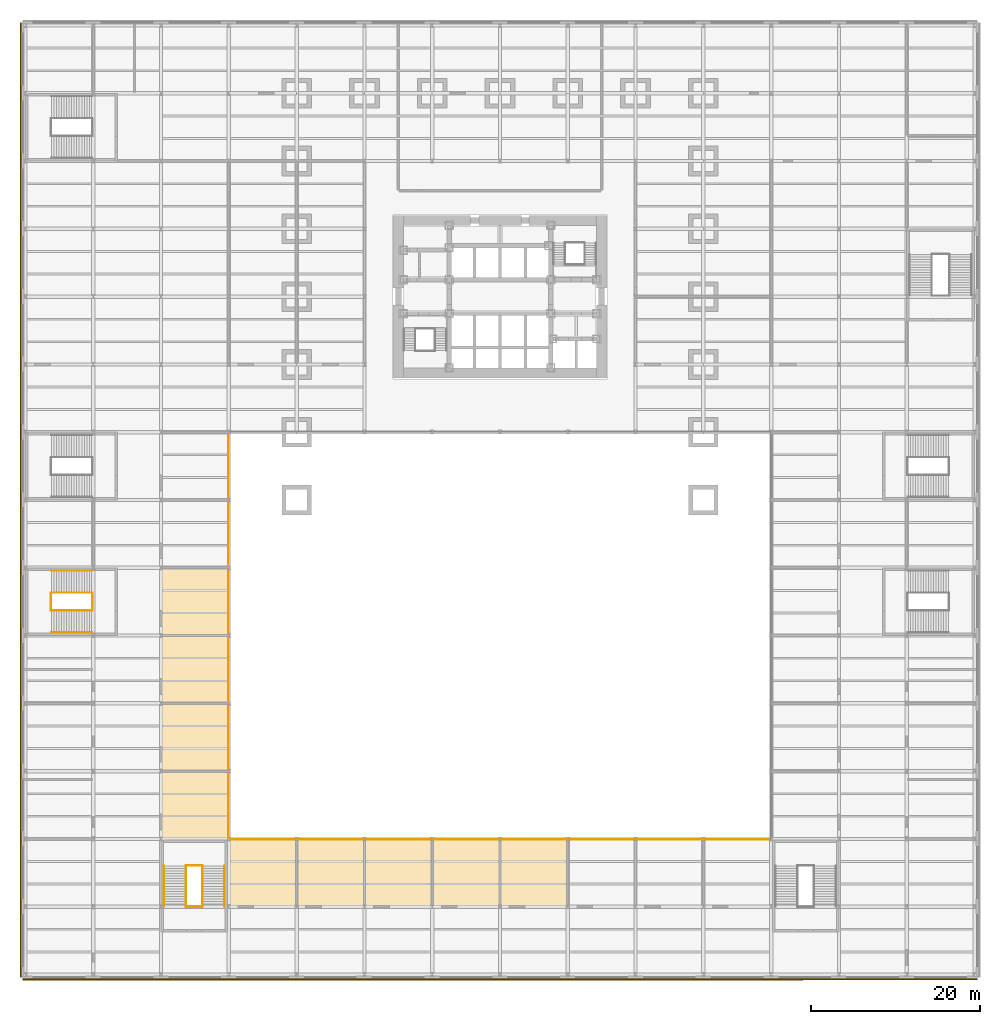
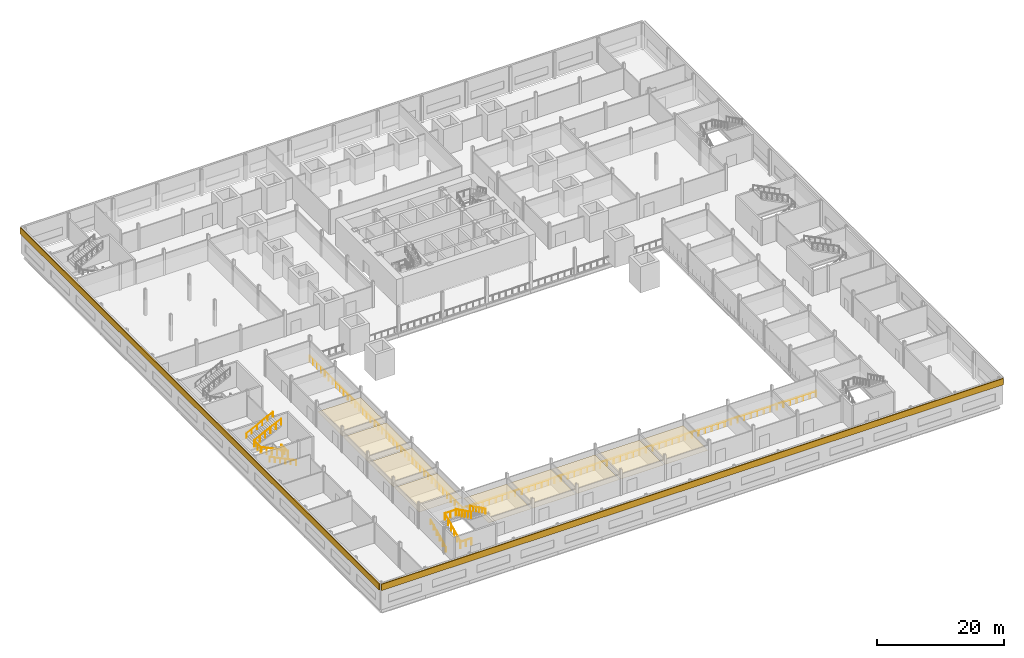
# One storey, part 18 of 22: 14 railings, 11 coverings.
"""IFC4 building model written with IfcOpenShell, lengths in metres."""

from ifc_helpers import new_model, si_unit, direction, frame, origin, origin_2d, place, context, subcontext, project, spatial, polyline, rectangle, circle, outline, extrude, material, layer, layer_set, type_object, element, save


model = new_model("IFC4")

# Units and contexts
model_context = context("Model", 3, precision=1e-05, world=origin(), true_north=direction((0.0, 1.0)))
body_context = subcontext(model_context, "Body", "Model", "MODEL_VIEW")
ifc_project = project(units=[si_unit("LENGTHUNIT", "METRE"), si_unit("AREAUNIT", "SQUARE_METRE"), si_unit("VOLUMEUNIT", "CUBIC_METRE"), si_unit("PLANEANGLEUNIT", "RADIAN"), si_unit("MASSUNIT", "GRAM", prefix="KILO")], contexts=[model_context])

# Site, building, storey
site_placement = place(None, origin())
site = spatial("IfcSite", under=ifc_project, at=site_placement, CompositionType="ELEMENT")
building_placement = place(site_placement, origin())
building = spatial("IfcBuilding", under=site, at=building_placement, Name="Daluyong Arena Tower", CompositionType="ELEMENT")
storey_placement = place(building_placement, frame((0.0, 0.0, 9.89990234375)))
storey = spatial("IfcBuildingStorey", under=building, at=storey_placement, Name="L02", CompositionType="ELEMENT", Elevation=9.89990234375)

# Railings
ifc_material_1 = material(Name="Steel guard with glass infill", Category="steel")
railing_type_1 = type_object("IfcRailingType", Name="Floor edge guard 1100", PredefinedType="GUARDRAIL", material=ifc_material_1)
railing_1_placement = place(storey_placement, frame((23.949951171875, 64.0, 0.0)))
element("IfcRailing", 1, at=railing_1_placement, inside=storey, type_object=railing_type_1, Name="floor edge guard L02", PredefinedType="GUARDRAIL", context=body_context, shape_type="SweptSolid", body=[
    extrude(circle(Radius=0.02392578125, at=origin_2d()), frame((0.0, 0.0, 1.076171875), z_axis=(0.0, -1.0, 0.0), x_axis=(1.0, 0.0, 0.0)), (0.0, 0.0, 1.0), 48.0),
    extrude(circle(Radius=0.02099609375, at=origin_2d()), origin(), (0.0, 0.0, 1.0), 1.052001953125),
    extrude(circle(Radius=0.02099609375, at=origin_2d()), frame((0.0, -1.199951171875, 0.0)), (0.0, 0.0, 1.0), 1.052001953125),
    extrude(circle(Radius=0.02099609375, at=origin_2d()), frame((0.0, -2.39990234375, 0.0)), (0.0, 0.0, 1.0), 1.052001953125),
    extrude(circle(Radius=0.02099609375, at=origin_2d()), frame((0.0, -3.60009765625, 0.0)), (0.0, 0.0, 1.0), 1.052001953125),
    extrude(circle(Radius=0.02099609375, at=origin_2d()), frame((0.0, -4.800048828125, 0.0)), (0.0, 0.0, 1.0), 1.052001953125),
    extrude(circle(Radius=0.02099609375, at=origin_2d()), frame((0.0, -6.0, 0.0)), (0.0, 0.0, 1.0), 1.052001953125),
    extrude(circle(Radius=0.02099609375, at=origin_2d()), frame((0.0, -7.199951171875, 0.0)), (0.0, 0.0, 1.0), 1.052001953125),
    extrude(circle(Radius=0.02099609375, at=origin_2d()), frame((0.0, -8.39990234375, 0.0)), (0.0, 0.0, 1.0), 1.052001953125),
    extrude(circle(Radius=0.02099609375, at=origin_2d()), frame((0.0, -9.60009765625, 0.0)), (0.0, 0.0, 1.0), 1.052001953125),
    extrude(circle(Radius=0.02099609375, at=origin_2d()), frame((0.0, -10.800048828125, 0.0)), (0.0, 0.0, 1.0), 1.052001953125),
    extrude(circle(Radius=0.02099609375, at=origin_2d()), frame((0.0, -12.0, 0.0)), (0.0, 0.0, 1.0), 1.052001953125),
    extrude(circle(Radius=0.02099609375, at=origin_2d()), frame((0.0, -13.199951171875, 0.0)), (0.0, 0.0, 1.0), 1.052001953125),
    extrude(circle(Radius=0.02099609375, at=origin_2d()), frame((0.0, -14.39990234375, 0.0)), (0.0, 0.0, 1.0), 1.052001953125),
    extrude(circle(Radius=0.02099609375, at=origin_2d()), frame((0.0, -15.60009765625, 0.0)), (0.0, 0.0, 1.0), 1.052001953125),
    extrude(circle(Radius=0.02099609375, at=origin_2d()), frame((0.0, -16.800048828125, 0.0)), (0.0, 0.0, 1.0), 1.052001953125),
    extrude(circle(Radius=0.02099609375, at=origin_2d()), frame((0.0, -18.0, 0.0)), (0.0, 0.0, 1.0), 1.052001953125),
    extrude(circle(Radius=0.02099609375, at=origin_2d()), frame((0.0, -19.199951171875, 0.0)), (0.0, 0.0, 1.0), 1.052001953125),
    extrude(circle(Radius=0.02099609375, at=origin_2d()), frame((0.0, -20.39990234375, 0.0)), (0.0, 0.0, 1.0), 1.052001953125),
    extrude(circle(Radius=0.02099609375, at=origin_2d()), frame((0.0, -21.60009765625, 0.0)), (0.0, 0.0, 1.0), 1.052001953125),
    extrude(circle(Radius=0.02099609375, at=origin_2d()), frame((0.0, -22.800048828125, 0.0)), (0.0, 0.0, 1.0), 1.052001953125),
    extrude(circle(Radius=0.02099609375, at=origin_2d()), frame((0.0, -24.0, 0.0)), (0.0, 0.0, 1.0), 1.052001953125),
    extrude(circle(Radius=0.02099609375, at=origin_2d()), frame((0.0, -25.199951171875, 0.0)), (0.0, 0.0, 1.0), 1.052001953125),
    extrude(circle(Radius=0.02099609375, at=origin_2d()), frame((0.0, -26.39990234375, 0.0)), (0.0, 0.0, 1.0), 1.052001953125),
    extrude(circle(Radius=0.02099609375, at=origin_2d()), frame((0.0, -27.60009765625, 0.0)), (0.0, 0.0, 1.0), 1.052001953125),
    extrude(circle(Radius=0.02099609375, at=origin_2d()), frame((0.0, -28.800048828125, 0.0)), (0.0, 0.0, 1.0), 1.052001953125),
    extrude(circle(Radius=0.02099609375, at=origin_2d()), frame((0.0, -30.0, 0.0)), (0.0, 0.0, 1.0), 1.052001953125),
    extrude(circle(Radius=0.02099609375, at=origin_2d()), frame((0.0, -31.199951171875, 0.0)), (0.0, 0.0, 1.0), 1.052001953125),
    extrude(circle(Radius=0.02099609375, at=origin_2d()), frame((0.0, -32.39990234375, 0.0)), (0.0, 0.0, 1.0), 1.052001953125),
    extrude(circle(Radius=0.02099609375, at=origin_2d()), frame((0.0, -33.60009765625, 0.0)), (0.0, 0.0, 1.0), 1.052001953125),
    extrude(circle(Radius=0.02099609375, at=origin_2d()), frame((0.0, -34.800048828125, 0.0)), (0.0, 0.0, 1.0), 1.052001953125),
    extrude(circle(Radius=0.02099609375, at=origin_2d()), frame((0.0, -36.0, 0.0)), (0.0, 0.0, 1.0), 1.052001953125),
    extrude(circle(Radius=0.02099609375, at=origin_2d()), frame((0.0, -37.199951171875, 0.0)), (0.0, 0.0, 1.0), 1.052001953125),
    extrude(circle(Radius=0.02099609375, at=origin_2d()), frame((0.0, -38.39990234375, 0.0)), (0.0, 0.0, 1.0), 1.052001953125),
    extrude(circle(Radius=0.02099609375, at=origin_2d()), frame((0.0, -39.60009765625, 0.0)), (0.0, 0.0, 1.0), 1.052001953125),
    extrude(circle(Radius=0.02099609375, at=origin_2d()), frame((0.0, -40.800048828125, 0.0)), (0.0, 0.0, 1.0), 1.052001953125),
    extrude(circle(Radius=0.02099609375, at=origin_2d()), frame((0.0, -42.0, 0.0)), (0.0, 0.0, 1.0), 1.052001953125),
    extrude(circle(Radius=0.02099609375, at=origin_2d()), frame((0.0, -43.199951171875, 0.0)), (0.0, 0.0, 1.0), 1.052001953125),
    extrude(circle(Radius=0.02099609375, at=origin_2d()), frame((0.0, -44.39990234375, 0.0)), (0.0, 0.0, 1.0), 1.052001953125),
    extrude(circle(Radius=0.02099609375, at=origin_2d()), frame((0.0, -45.60009765625, 0.0)), (0.0, 0.0, 1.0), 1.052001953125),
    extrude(circle(Radius=0.02099609375, at=origin_2d()), frame((0.0, -46.800048828125, 0.0)), (0.0, 0.0, 1.0), 1.052001953125),
    extrude(circle(Radius=0.02099609375, at=origin_2d()), frame((0.0, -48.0, 0.0)), (0.0, 0.0, 1.0), 1.052001953125),
])
railing_2_placement = place(storey_placement, frame((24.0, 15.949951171875, 0.0)))
element("IfcRailing", 2, at=railing_2_placement, inside=storey, type_object=railing_type_1, Name="floor edge guard L02", PredefinedType="GUARDRAIL", context=body_context, shape_type="SweptSolid", body=[
    extrude(circle(Radius=0.02392578125, at=origin_2d()), frame((0.0, 0.0, 1.076171875), z_axis=(1.0, 0.0, 0.0), x_axis=(0.0, 1.0, 0.0)), (0.0, 0.0, 1.0), 64.0),
    extrude(circle(Radius=0.02099609375, at=origin_2d()), origin(), (0.0, 0.0, 1.0), 1.052001953125),
    extrude(circle(Radius=0.02099609375, at=origin_2d()), frame((1.185302734375, 0.0, 0.0)), (0.0, 0.0, 1.0), 1.052001953125),
    extrude(circle(Radius=0.02099609375, at=origin_2d()), frame((2.370361328125, 0.0, 0.0)), (0.0, 0.0, 1.0), 1.052001953125),
    extrude(circle(Radius=0.02099609375, at=origin_2d()), frame((3.5556640625, 0.0, 0.0)), (0.0, 0.0, 1.0), 1.052001953125),
    extrude(circle(Radius=0.02099609375, at=origin_2d()), frame((4.74072265625, 0.0, 0.0)), (0.0, 0.0, 1.0), 1.052001953125),
    extrude(circle(Radius=0.02099609375, at=origin_2d()), frame((5.926025390625, 0.0, 0.0)), (0.0, 0.0, 1.0), 1.052001953125),
    extrude(circle(Radius=0.02099609375, at=origin_2d()), frame((7.111083984375, 0.0, 0.0)), (0.0, 0.0, 1.0), 1.052001953125),
    extrude(circle(Radius=0.02099609375, at=origin_2d()), frame((8.29638671875, 0.0, 0.0)), (0.0, 0.0, 1.0), 1.052001953125),
    extrude(circle(Radius=0.02099609375, at=origin_2d()), frame((9.4814453125, 0.0, 0.0)), (0.0, 0.0, 1.0), 1.052001953125),
    extrude(circle(Radius=0.02099609375, at=origin_2d()), frame((10.666748046875, 0.0, 0.0)), (0.0, 0.0, 1.0), 1.052001953125),
    extrude(circle(Radius=0.02099609375, at=origin_2d()), frame((11.851806640625, 0.0, 0.0)), (0.0, 0.0, 1.0), 1.052001953125),
    extrude(circle(Radius=0.02099609375, at=origin_2d()), frame((13.037109375, 0.0, 0.0)), (0.0, 0.0, 1.0), 1.052001953125),
    extrude(circle(Radius=0.02099609375, at=origin_2d()), frame((14.22216796875, 0.0, 0.0)), (0.0, 0.0, 1.0), 1.052001953125),
    extrude(circle(Radius=0.02099609375, at=origin_2d()), frame((15.407470703125, 0.0, 0.0)), (0.0, 0.0, 1.0), 1.052001953125),
    extrude(circle(Radius=0.02099609375, at=origin_2d()), frame((16.592529296875, 0.0, 0.0)), (0.0, 0.0, 1.0), 1.052001953125),
    extrude(circle(Radius=0.02099609375, at=origin_2d()), frame((17.77783203125, 0.0, 0.0)), (0.0, 0.0, 1.0), 1.052001953125),
    extrude(circle(Radius=0.02099609375, at=origin_2d()), frame((18.962890625, 0.0, 0.0)), (0.0, 0.0, 1.0), 1.052001953125),
    extrude(circle(Radius=0.02099609375, at=origin_2d()), frame((20.148193359375, 0.0, 0.0)), (0.0, 0.0, 1.0), 1.052001953125),
    extrude(circle(Radius=0.02099609375, at=origin_2d()), frame((21.333251953125, 0.0, 0.0)), (0.0, 0.0, 1.0), 1.052001953125),
    extrude(circle(Radius=0.02099609375, at=origin_2d()), frame((22.5185546875, 0.0, 0.0)), (0.0, 0.0, 1.0), 1.052001953125),
    extrude(circle(Radius=0.02099609375, at=origin_2d()), frame((23.70361328125, 0.0, 0.0)), (0.0, 0.0, 1.0), 1.052001953125),
    extrude(circle(Radius=0.02099609375, at=origin_2d()), frame((24.888916015625, 0.0, 0.0)), (0.0, 0.0, 1.0), 1.052001953125),
    extrude(circle(Radius=0.02099609375, at=origin_2d()), frame((26.073974609375, 0.0, 0.0)), (0.0, 0.0, 1.0), 1.052001953125),
    extrude(circle(Radius=0.02099609375, at=origin_2d()), frame((27.25927734375, 0.0, 0.0)), (0.0, 0.0, 1.0), 1.052001953125),
    extrude(circle(Radius=0.02099609375, at=origin_2d()), frame((28.4443359375, 0.0, 0.0)), (0.0, 0.0, 1.0), 1.052001953125),
    extrude(circle(Radius=0.02099609375, at=origin_2d()), frame((29.629638671875, 0.0, 0.0)), (0.0, 0.0, 1.0), 1.052001953125),
    extrude(circle(Radius=0.02099609375, at=origin_2d()), frame((30.814697265625, 0.0, 0.0)), (0.0, 0.0, 1.0), 1.052001953125),
    extrude(circle(Radius=0.02099609375, at=origin_2d()), frame((32.0, 0.0, 0.0)), (0.0, 0.0, 1.0), 1.052001953125),
    extrude(circle(Radius=0.02099609375, at=origin_2d()), frame((33.185302734375, 0.0, 0.0)), (0.0, 0.0, 1.0), 1.052001953125),
    extrude(circle(Radius=0.02099609375, at=origin_2d()), frame((34.370361328125, 0.0, 0.0)), (0.0, 0.0, 1.0), 1.052001953125),
    extrude(circle(Radius=0.02099609375, at=origin_2d()), frame((35.5556640625, 0.0, 0.0)), (0.0, 0.0, 1.0), 1.052001953125),
    extrude(circle(Radius=0.02099609375, at=origin_2d()), frame((36.74072265625, 0.0, 0.0)), (0.0, 0.0, 1.0), 1.052001953125),
    extrude(circle(Radius=0.02099609375, at=origin_2d()), frame((37.926025390625, 0.0, 0.0)), (0.0, 0.0, 1.0), 1.052001953125),
    extrude(circle(Radius=0.02099609375, at=origin_2d()), frame((39.111083984375, 0.0, 0.0)), (0.0, 0.0, 1.0), 1.052001953125),
    extrude(circle(Radius=0.02099609375, at=origin_2d()), frame((40.29638671875, 0.0, 0.0)), (0.0, 0.0, 1.0), 1.052001953125),
    extrude(circle(Radius=0.02099609375, at=origin_2d()), frame((41.4814453125, 0.0, 0.0)), (0.0, 0.0, 1.0), 1.052001953125),
    extrude(circle(Radius=0.02099609375, at=origin_2d()), frame((42.666748046875, 0.0, 0.0)), (0.0, 0.0, 1.0), 1.052001953125),
    extrude(circle(Radius=0.02099609375, at=origin_2d()), frame((43.851806640625, 0.0, 0.0)), (0.0, 0.0, 1.0), 1.052001953125),
    extrude(circle(Radius=0.02099609375, at=origin_2d()), frame((45.037109375, 0.0, 0.0)), (0.0, 0.0, 1.0), 1.052001953125),
    extrude(circle(Radius=0.02099609375, at=origin_2d()), frame((46.22216796875, 0.0, 0.0)), (0.0, 0.0, 1.0), 1.052001953125),
    extrude(circle(Radius=0.02099609375, at=origin_2d()), frame((47.407470703125, 0.0, 0.0)), (0.0, 0.0, 1.0), 1.052001953125),
    extrude(circle(Radius=0.02099609375, at=origin_2d()), frame((48.592529296875, 0.0, 0.0)), (0.0, 0.0, 1.0), 1.052001953125),
    extrude(circle(Radius=0.02099609375, at=origin_2d()), frame((49.77783203125, 0.0, 0.0)), (0.0, 0.0, 1.0), 1.052001953125),
    extrude(circle(Radius=0.02099609375, at=origin_2d()), frame((50.962890625, 0.0, 0.0)), (0.0, 0.0, 1.0), 1.052001953125),
    extrude(circle(Radius=0.02099609375, at=origin_2d()), frame((52.148193359375, 0.0, 0.0)), (0.0, 0.0, 1.0), 1.052001953125),
    extrude(circle(Radius=0.02099609375, at=origin_2d()), frame((53.333251953125, 0.0, 0.0)), (0.0, 0.0, 1.0), 1.052001953125),
    extrude(circle(Radius=0.02099609375, at=origin_2d()), frame((54.5185546875, 0.0, 0.0)), (0.0, 0.0, 1.0), 1.052001953125),
    extrude(circle(Radius=0.02099609375, at=origin_2d()), frame((55.70361328125, 0.0, 0.0)), (0.0, 0.0, 1.0), 1.052001953125),
    extrude(circle(Radius=0.02099609375, at=origin_2d()), frame((56.888916015625, 0.0, 0.0)), (0.0, 0.0, 1.0), 1.052001953125),
    extrude(circle(Radius=0.02099609375, at=origin_2d()), frame((58.073974609375, 0.0, 0.0)), (0.0, 0.0, 1.0), 1.052001953125),
    extrude(circle(Radius=0.02099609375, at=origin_2d()), frame((59.25927734375, 0.0, 0.0)), (0.0, 0.0, 1.0), 1.052001953125),
    extrude(circle(Radius=0.02099609375, at=origin_2d()), frame((60.4443359375, 0.0, 0.0)), (0.0, 0.0, 1.0), 1.052001953125),
    extrude(circle(Radius=0.02099609375, at=origin_2d()), frame((61.629638671875, 0.0, 0.0)), (0.0, 0.0, 1.0), 1.052001953125),
    extrude(circle(Radius=0.02099609375, at=origin_2d()), frame((62.814697265625, 0.0, 0.0)), (0.0, 0.0, 1.0), 1.052001953125),
    extrude(circle(Radius=0.02099609375, at=origin_2d()), frame((64.0, 0.0, 0.0)), (0.0, 0.0, 1.0), 1.052001953125),
])

# Coverings
ifc_material_2 = material(Name="Mineral fibre ceiling tile", Category="gypsum board")
ifc_layer_1 = layer(ifc_material_2, 0.02001953125)
ifc_layer_set_1 = layer_set([ifc_layer_1], Name="Mineral fibre ceiling tile")
covering_type_1 = type_object("IfcCoveringType", Name="Office ceiling", PredefinedType="CEILING", material=ifc_layer_set_1)
covering_1_placement = place(storey_placement, frame((0.0, 0.0, 2.900146484375)))
element("IfcCovering", 3, at=covering_1_placement, inside=storey, type_object=covering_type_1, Name="ceiling L02-19", PredefinedType="CEILING", context=body_context, shape_type="SweptSolid", body=[
    extrude(outline(polyline([(23.89990234375, 16.10009765625), (23.89990234375, 23.89990234375), (16.10009765625, 23.89990234375), (16.10009765625, 16.10009765625), (23.89990234375, 16.10009765625)])), origin(), (0.0, 0.0, 1.0), 0.02001953125),
])
covering_2_placement = place(storey_placement, frame((0.0, 0.0, 2.900146484375)))
element("IfcCovering", 4, at=covering_2_placement, inside=storey, type_object=covering_type_1, Name="ceiling L02-20", PredefinedType="CEILING", context=body_context, shape_type="SweptSolid", body=[
    extrude(outline(polyline([(23.89990234375, 24.10009765625), (23.89990234375, 31.89990234375), (16.10009765625, 31.89990234375), (16.10009765625, 24.10009765625), (23.89990234375, 24.10009765625)])), origin(), (0.0, 0.0, 1.0), 0.02001953125),
])
covering_3_placement = place(storey_placement, frame((0.0, 0.0, 2.900146484375)))
element("IfcCovering", 5, at=covering_3_placement, inside=storey, type_object=covering_type_1, Name="ceiling L02-21", PredefinedType="CEILING", context=body_context, shape_type="SweptSolid", body=[
    extrude(outline(polyline([(23.89990234375, 32.10009765625), (23.89990234375, 39.89990234375), (16.10009765625, 39.89990234375), (16.10009765625, 32.10009765625), (23.89990234375, 32.10009765625)])), origin(), (0.0, 0.0, 1.0), 0.02001953125),
])
covering_4_placement = place(storey_placement, frame((0.0, 0.0, 2.900146484375)))
element("IfcCovering", 6, at=covering_4_placement, inside=storey, type_object=covering_type_1, Name="ceiling L02-22", PredefinedType="CEILING", context=body_context, shape_type="SweptSolid", body=[
    extrude(outline(polyline([(23.89990234375, 40.10009765625), (23.89990234375, 47.89990234375), (16.10009765625, 47.89990234375), (16.10009765625, 40.10009765625), (23.89990234375, 40.10009765625)])), origin(), (0.0, 0.0, 1.0), 0.02001953125),
])
covering_5_placement = place(storey_placement, frame((0.0, 0.0, 2.900146484375)))
element("IfcCovering", 7, at=covering_5_placement, inside=storey, type_object=covering_type_1, Name="ceiling L02-31", PredefinedType="CEILING", context=body_context, shape_type="SweptSolid", body=[
    extrude(outline(polyline([(31.89990234375, 8.10009765625), (31.89990234375, 15.89990234375), (24.10009765625, 15.89990234375), (24.10009765625, 8.10009765625), (31.89990234375, 8.10009765625)])), origin(), (0.0, 0.0, 1.0), 0.02001953125),
])
covering_6_placement = place(storey_placement, frame((0.0, 0.0, 2.900146484375)))
element("IfcCovering", 8, at=covering_6_placement, inside=storey, type_object=covering_type_1, Name="ceiling L02-32", PredefinedType="CEILING", context=body_context, shape_type="SweptSolid", body=[
    extrude(outline(polyline([(39.89990234375, 8.10009765625), (39.89990234375, 15.89990234375), (32.10009765625, 15.89990234375), (32.10009765625, 8.10009765625), (39.89990234375, 8.10009765625)])), origin(), (0.0, 0.0, 1.0), 0.02001953125),
])
covering_7_placement = place(storey_placement, frame((0.0, 0.0, 2.900146484375)))
element("IfcCovering", 9, at=covering_7_placement, inside=storey, type_object=covering_type_1, Name="ceiling L02-33", PredefinedType="CEILING", context=body_context, shape_type="SweptSolid", body=[
    extrude(outline(polyline([(47.89990234375, 8.10009765625), (47.89990234375, 15.89990234375), (40.10009765625, 15.89990234375), (40.10009765625, 8.10009765625), (47.89990234375, 8.10009765625)])), origin(), (0.0, 0.0, 1.0), 0.02001953125),
])
covering_8_placement = place(storey_placement, frame((0.0, 0.0, 2.900146484375)))
element("IfcCovering", 10, at=covering_8_placement, inside=storey, type_object=covering_type_1, Name="ceiling L02-34", PredefinedType="CEILING", context=body_context, shape_type="SweptSolid", body=[
    extrude(outline(polyline([(55.89990234375, 8.10009765625), (55.89990234375, 15.89990234375), (48.10009765625, 15.89990234375), (48.10009765625, 8.10009765625), (55.89990234375, 8.10009765625)])), origin(), (0.0, 0.0, 1.0), 0.02001953125),
])
covering_9_placement = place(storey_placement, frame((0.0, 0.0, 2.900146484375)))
element("IfcCovering", 11, at=covering_9_placement, inside=storey, type_object=covering_type_1, Name="ceiling L02-35", PredefinedType="CEILING", context=body_context, shape_type="SweptSolid", body=[
    extrude(outline(polyline([(63.89990234375, 8.10009765625), (63.89990234375, 15.89990234375), (56.10009765625, 15.89990234375), (56.10009765625, 8.10009765625), (63.89990234375, 8.10009765625)])), origin(), (0.0, 0.0, 1.0), 0.02001953125),
])
ifc_material_3 = material(Name="Red-pigmented glass fibre reinforced concrete", Category="concrete")
ifc_layer_2 = layer(ifc_material_3, 0.14990234375)
ifc_layer_set_2 = layer_set([ifc_layer_2], Name="Red-pigmented glass fibre reinforced concrete")
covering_type_2 = type_object("IfcCoveringType", Name="Podium band cladding", PredefinedType="CLADDING", material=ifc_layer_set_2)
for number, where, z_axis, x_axis, name in (
    (12, (56.0, -0.574951171875, 3.80029296875), (0.0, 0.0, 1.0), (1.0, 0.0, 0.0), "podium band S L02"),
    (13, (-0.574951171875, 56.0, 3.80029296875), (0.0, 0.0, 1.0), (0.0, -1.0, 0.0), "podium band W L02"),
):
    element("IfcCovering", number, at=place(storey_placement, frame(where, z_axis=z_axis, x_axis=x_axis)), inside=storey, type_object=covering_type_2, Name=name, PredefinedType="CLADDING", context=body_context, shape_type="SweptSolid", body=[
        extrude(rectangle(XDim=112.699951171875, YDim=0.14990234375, at=origin_2d()), origin(), (0.0, 0.0, 1.0), 1.199951171875),
    ])

# Railings
ifc_material_4 = material(Name="Stainless steel handrail", Category="steel")
railing_type_2 = type_object("IfcRailingType", Name="Stair handrail", PredefinedType="HANDRAIL", material=ifc_material_4)
railing_3_placement = place(storey_placement, frame((16.35009765625, 8.010009765625, 0.147216796875)))
element("IfcRailing", 14, at=railing_3_placement, inside=storey, type_object=railing_type_2, Name="exit stair PS1 handrail L02", PredefinedType="HANDRAIL", context=body_context, shape_type="SweptSolid", body=[
    extrude(circle(Radius=0.02392578125, at=origin_2d()), frame((0.0, 0.0, 0.8759765625), z_axis=(0.0, 0.89793417156, 0.440129780343), x_axis=(-1.0, 0.0, 0.0)), (0.0, 0.0, 1.0), 5.345703125),
    extrude(circle(Radius=0.02099609375, at=origin_2d()), origin(), (0.0, 0.0, 1.0), 0.851806640625),
    extrude(circle(Radius=0.02099609375, at=origin_2d()), frame((0.0, 0.9599609375, 0.470458984375)), (0.0, 0.0, 1.0), 0.851806640625),
    extrude(circle(Radius=0.02099609375, at=origin_2d()), frame((0.0, 1.919921875, 0.941162109375)), (0.0, 0.0, 1.0), 0.851806640625),
    extrude(circle(Radius=0.02099609375, at=origin_2d()), frame((0.0, 2.880126953125, 1.41162109375)), (0.0, 0.0, 1.0), 0.851806640625),
    extrude(circle(Radius=0.02099609375, at=origin_2d()), frame((0.0, 3.840087890625, 1.88232421875)), (0.0, 0.0, 1.0), 0.851806640625),
    extrude(circle(Radius=0.02099609375, at=origin_2d()), frame((0.0, 4.800048828125, 2.352783203125)), (0.0, 0.0, 1.0), 0.851806640625),
])
railing_4_placement = place(storey_placement, frame((23.5, 12.81005859375, 2.647216796875)))
element("IfcRailing", 15, at=railing_4_placement, inside=storey, type_object=railing_type_2, Name="exit stair PS1 handrail L02", PredefinedType="HANDRAIL", context=body_context, shape_type="SweptSolid", body=[
    extrude(circle(Radius=0.02392578125, at=origin_2d()), frame((0.0, 0.0, 0.8759765625), z_axis=(0.0, -0.89793417156, 0.440129780343), x_axis=(1.0, 0.0, 0.0)), (0.0, 0.0, 1.0), 5.345703125),
    extrude(circle(Radius=0.02099609375, at=origin_2d()), origin(), (0.0, 0.0, 1.0), 0.851806640625),
    extrude(circle(Radius=0.02099609375, at=origin_2d()), frame((0.0, -0.9599609375, 0.470458984375)), (0.0, 0.0, 1.0), 0.851806640625),
    extrude(circle(Radius=0.02099609375, at=origin_2d()), frame((0.0, -1.919921875, 0.941162109375)), (0.0, 0.0, 1.0), 0.851806640625),
    extrude(circle(Radius=0.02099609375, at=origin_2d()), frame((0.0, -2.880126953125, 1.41162109375)), (0.0, 0.0, 1.0), 0.851806640625),
    extrude(circle(Radius=0.02099609375, at=origin_2d()), frame((0.0, -3.840087890625, 1.88232421875)), (0.0, 0.0, 1.0), 0.851806640625),
    extrude(circle(Radius=0.02099609375, at=origin_2d()), frame((0.0, -4.800048828125, 2.352783203125)), (0.0, 0.0, 1.0), 0.851806640625),
])
railing_5_placement = place(storey_placement, frame((7.840087890625, 40.35009765625, 0.147216796875)))
element("IfcRailing", 16, at=railing_5_placement, inside=storey, type_object=railing_type_2, Name="exit stair PS3 handrail L02", PredefinedType="HANDRAIL", context=body_context, shape_type="SweptSolid", body=[
    extrude(circle(Radius=0.02392578125, at=origin_2d()), frame((0.0, 0.0, 0.8759765625), z_axis=(-0.89793417156, 0.0, 0.440129780343), x_axis=(0.0, -1.0, 0.0)), (0.0, 0.0, 1.0), 5.345703125),
    extrude(circle(Radius=0.02099609375, at=origin_2d()), origin(), (0.0, 0.0, 1.0), 0.851806640625),
    extrude(circle(Radius=0.02099609375, at=origin_2d()), frame((-0.9599609375, 0.0, 0.470458984375)), (0.0, 0.0, 1.0), 0.851806640625),
    extrude(circle(Radius=0.02099609375, at=origin_2d()), frame((-1.919921875, 0.0, 0.941162109375)), (0.0, 0.0, 1.0), 0.851806640625),
    extrude(circle(Radius=0.02099609375, at=origin_2d()), frame((-2.880126953125, 0.0, 1.41162109375)), (0.0, 0.0, 1.0), 0.851806640625),
    extrude(circle(Radius=0.02099609375, at=origin_2d()), frame((-3.840087890625, 0.0, 1.88232421875)), (0.0, 0.0, 1.0), 0.851806640625),
    extrude(circle(Radius=0.02099609375, at=origin_2d()), frame((-4.800048828125, 0.0, 2.352783203125)), (0.0, 0.0, 1.0), 0.851806640625),
])
railing_6_placement = place(storey_placement, frame((3.0400390625, 47.64990234375, 2.647216796875)))
element("IfcRailing", 17, at=railing_6_placement, inside=storey, type_object=railing_type_2, Name="exit stair PS3 handrail L02", PredefinedType="HANDRAIL", context=body_context, shape_type="SweptSolid", body=[
    extrude(circle(Radius=0.02392578125, at=origin_2d()), frame((0.0, 0.0, 0.8759765625), z_axis=(0.89793417156, 0.0, 0.440129780343), x_axis=(0.0, 1.0, 0.0)), (0.0, 0.0, 1.0), 5.345703125),
    extrude(circle(Radius=0.02099609375, at=origin_2d()), origin(), (0.0, 0.0, 1.0), 0.851806640625),
    extrude(circle(Radius=0.02099609375, at=origin_2d()), frame((0.9599609375, 0.0, 0.470458984375)), (0.0, 0.0, 1.0), 0.851806640625),
    extrude(circle(Radius=0.02099609375, at=origin_2d()), frame((1.919921875, 0.0, 0.941162109375)), (0.0, 0.0, 1.0), 0.851806640625),
    extrude(circle(Radius=0.02099609375, at=origin_2d()), frame((2.880126953125, 0.0, 1.41162109375)), (0.0, 0.0, 1.0), 0.851806640625),
    extrude(circle(Radius=0.02099609375, at=origin_2d()), frame((3.840087890625, 0.0, 1.88232421875)), (0.0, 0.0, 1.0), 0.851806640625),
    extrude(circle(Radius=0.02099609375, at=origin_2d()), frame((4.800048828125, 0.0, 2.352783203125)), (0.0, 0.0, 1.0), 0.851806640625),
])
ifc_material_5 = material(Name="Steel balustrade", Category="steel")
railing_type_3 = type_object("IfcRailingType", Name="Stair well guard 1200", PredefinedType="GUARDRAIL", material=ifc_material_5)
railing_7_placement = place(storey_placement, frame((18.949951171875, 8.010009765625, 0.147216796875)))
element("IfcRailing", 18, at=railing_7_placement, inside=storey, type_object=railing_type_3, Name="exit stair PS1 well guard L02", PredefinedType="GUARDRAIL", context=body_context, shape_type="SweptSolid", body=[
    extrude(circle(Radius=0.02392578125, at=origin_2d()), frame((0.0, 0.0, 1.17578125), z_axis=(0.0, 0.89793417156, 0.440129780343), x_axis=(-1.0, 0.0, 0.0)), (0.0, 0.0, 1.0), 5.345703125),
    extrude(circle(Radius=0.02099609375, at=origin_2d()), origin(), (0.0, 0.0, 1.0), 1.15185546875),
    extrude(circle(Radius=0.02099609375, at=origin_2d()), frame((0.0, 0.9599609375, 0.470458984375)), (0.0, 0.0, 1.0), 1.15185546875),
    extrude(circle(Radius=0.02099609375, at=origin_2d()), frame((0.0, 1.919921875, 0.941162109375)), (0.0, 0.0, 1.0), 1.15185546875),
    extrude(circle(Radius=0.02099609375, at=origin_2d()), frame((0.0, 2.880126953125, 1.41162109375)), (0.0, 0.0, 1.0), 1.15185546875),
    extrude(circle(Radius=0.02099609375, at=origin_2d()), frame((0.0, 3.840087890625, 1.88232421875)), (0.0, 0.0, 1.0), 1.15185546875),
    extrude(circle(Radius=0.02099609375, at=origin_2d()), frame((0.0, 4.800048828125, 2.352783203125)), (0.0, 0.0, 1.0), 1.15185546875),
])
railing_8_placement = place(storey_placement, frame((20.89990234375, 12.81005859375, 2.647216796875)))
element("IfcRailing", 19, at=railing_8_placement, inside=storey, type_object=railing_type_3, Name="exit stair PS1 well guard L02", PredefinedType="GUARDRAIL", context=body_context, shape_type="SweptSolid", body=[
    extrude(circle(Radius=0.02392578125, at=origin_2d()), frame((0.0, 0.0, 1.17578125), z_axis=(0.0, -0.89793417156, 0.440129780343), x_axis=(1.0, 0.0, 0.0)), (0.0, 0.0, 1.0), 5.345703125),
    extrude(circle(Radius=0.02099609375, at=origin_2d()), origin(), (0.0, 0.0, 1.0), 1.15185546875),
    extrude(circle(Radius=0.02099609375, at=origin_2d()), frame((0.0, -0.9599609375, 0.470458984375)), (0.0, 0.0, 1.0), 1.15185546875),
    extrude(circle(Radius=0.02099609375, at=origin_2d()), frame((0.0, -1.919921875, 0.941162109375)), (0.0, 0.0, 1.0), 1.15185546875),
    extrude(circle(Radius=0.02099609375, at=origin_2d()), frame((0.0, -2.880126953125, 1.41162109375)), (0.0, 0.0, 1.0), 1.15185546875),
    extrude(circle(Radius=0.02099609375, at=origin_2d()), frame((0.0, -3.840087890625, 1.88232421875)), (0.0, 0.0, 1.0), 1.15185546875),
    extrude(circle(Radius=0.02099609375, at=origin_2d()), frame((0.0, -4.800048828125, 2.352783203125)), (0.0, 0.0, 1.0), 1.15185546875),
])
for number, where, name in (
    (20, (18.949951171875, 12.860107421875, 2.5), "exit stair PS1 landing guard L02"),
    (21, (18.949951171875, 7.9599609375, 0.0), "exit stair PS1 floor landing guard L02"),
):
    element("IfcRailing", number, at=place(storey_placement, frame(where)), inside=storey, type_object=railing_type_3, Name=name, PredefinedType="GUARDRAIL", context=body_context, shape_type="SweptSolid", body=[
        extrude(circle(Radius=0.02392578125, at=origin_2d()), frame((0.0, 0.0, 1.17578125), z_axis=(1.0, 0.0, 0.0), x_axis=(0.0, 1.0, 0.0)), (0.0, 0.0, 1.0), 1.949951171875),
        extrude(circle(Radius=0.02099609375, at=origin_2d()), origin(), (0.0, 0.0, 1.0), 1.15185546875),
        extrude(circle(Radius=0.02099609375, at=origin_2d()), frame((0.97509765625, 0.0, 0.0)), (0.0, 0.0, 1.0), 1.15185546875),
        extrude(circle(Radius=0.02099609375, at=origin_2d()), frame((1.949951171875, 0.0, 0.0)), (0.0, 0.0, 1.0), 1.15185546875),
    ])
railing_9_placement = place(storey_placement, frame((7.840087890625, 42.949951171875, 0.147216796875)))
element("IfcRailing", 22, at=railing_9_placement, inside=storey, type_object=railing_type_3, Name="exit stair PS3 well guard L02", PredefinedType="GUARDRAIL", context=body_context, shape_type="SweptSolid", body=[
    extrude(circle(Radius=0.02392578125, at=origin_2d()), frame((0.0, 0.0, 1.17578125), z_axis=(-0.89793417156, 0.0, 0.440129780343), x_axis=(0.0, -1.0, 0.0)), (0.0, 0.0, 1.0), 5.345703125),
    extrude(circle(Radius=0.02099609375, at=origin_2d()), origin(), (0.0, 0.0, 1.0), 1.15185546875),
    extrude(circle(Radius=0.02099609375, at=origin_2d()), frame((-0.9599609375, 0.0, 0.470458984375)), (0.0, 0.0, 1.0), 1.15185546875),
    extrude(circle(Radius=0.02099609375, at=origin_2d()), frame((-1.919921875, 0.0, 0.941162109375)), (0.0, 0.0, 1.0), 1.15185546875),
    extrude(circle(Radius=0.02099609375, at=origin_2d()), frame((-2.880126953125, 0.0, 1.41162109375)), (0.0, 0.0, 1.0), 1.15185546875),
    extrude(circle(Radius=0.02099609375, at=origin_2d()), frame((-3.840087890625, 0.0, 1.88232421875)), (0.0, 0.0, 1.0), 1.15185546875),
    extrude(circle(Radius=0.02099609375, at=origin_2d()), frame((-4.800048828125, 0.0, 2.352783203125)), (0.0, 0.0, 1.0), 1.15185546875),
])
railing_10_placement = place(storey_placement, frame((3.0400390625, 45.050048828125, 2.647216796875)))
element("IfcRailing", 23, at=railing_10_placement, inside=storey, type_object=railing_type_3, Name="exit stair PS3 well guard L02", PredefinedType="GUARDRAIL", context=body_context, shape_type="SweptSolid", body=[
    extrude(circle(Radius=0.02392578125, at=origin_2d()), frame((0.0, 0.0, 1.17578125), z_axis=(0.89793417156, 0.0, 0.440129780343), x_axis=(0.0, 1.0, 0.0)), (0.0, 0.0, 1.0), 5.345703125),
    extrude(circle(Radius=0.02099609375, at=origin_2d()), origin(), (0.0, 0.0, 1.0), 1.15185546875),
    extrude(circle(Radius=0.02099609375, at=origin_2d()), frame((0.9599609375, 0.0, 0.470458984375)), (0.0, 0.0, 1.0), 1.15185546875),
    extrude(circle(Radius=0.02099609375, at=origin_2d()), frame((1.919921875, 0.0, 0.941162109375)), (0.0, 0.0, 1.0), 1.15185546875),
    extrude(circle(Radius=0.02099609375, at=origin_2d()), frame((2.880126953125, 0.0, 1.41162109375)), (0.0, 0.0, 1.0), 1.15185546875),
    extrude(circle(Radius=0.02099609375, at=origin_2d()), frame((3.840087890625, 0.0, 1.88232421875)), (0.0, 0.0, 1.0), 1.15185546875),
    extrude(circle(Radius=0.02099609375, at=origin_2d()), frame((4.800048828125, 0.0, 2.352783203125)), (0.0, 0.0, 1.0), 1.15185546875),
])
for number, where, name in (
    (24, (2.989990234375, 42.949951171875, 2.5), "exit stair PS3 landing guard L02"),
    (25, (7.889892578125, 42.949951171875, 0.0), "exit stair PS3 floor landing guard L02"),
):
    element("IfcRailing", number, at=place(storey_placement, frame(where)), inside=storey, type_object=railing_type_3, Name=name, PredefinedType="GUARDRAIL", context=body_context, shape_type="SweptSolid", body=[
        extrude(circle(Radius=0.02392578125, at=origin_2d()), frame((0.0, 0.0, 1.17578125), z_axis=(0.0, 1.0, 0.0), x_axis=(-1.0, 0.0, 0.0)), (0.0, 0.0, 1.0), 2.10009765625),
        extrude(circle(Radius=0.02099609375, at=origin_2d()), origin(), (0.0, 0.0, 1.0), 1.15185546875),
        extrude(circle(Radius=0.02099609375, at=origin_2d()), frame((0.0, 1.050048828125, 0.0)), (0.0, 0.0, 1.0), 1.15185546875),
        extrude(circle(Radius=0.02099609375, at=origin_2d()), frame((0.0, 2.10009765625, 0.0)), (0.0, 0.0, 1.0), 1.15185546875),
    ])

save(model, "model.ifc")
